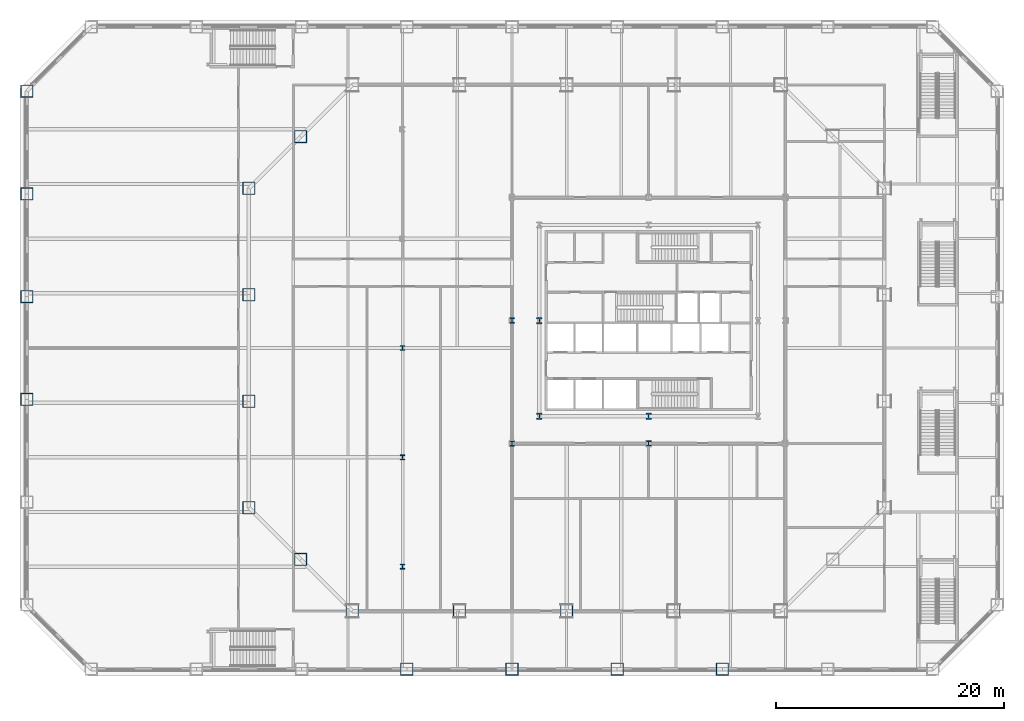
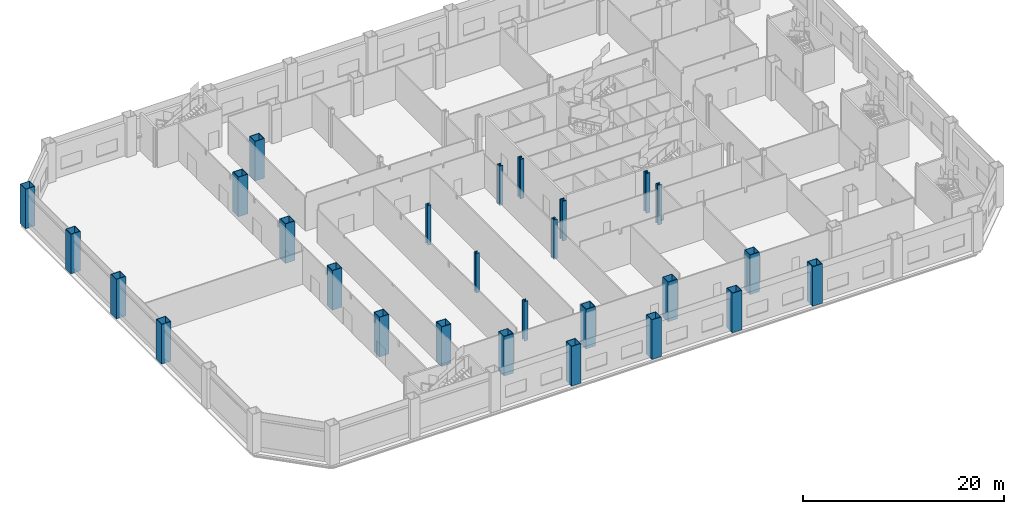
# One storey, part 2 of 26: 27 columns.
"""IFC4 building model written with IfcOpenShell, lengths in metres."""

import ifcopenshell
import ifcopenshell.guid

model = None  # the IFC model being written
_history = None  # IfcOwnerHistory: only IFC2X3 demands one
_inside = {}  # id of a spatial element -> (the spatial element, [elements in it])
_under = {}  # id of a project, library or spatial element -> (it, [spatial elements below it])
_declared = {}  # id of a project -> (the project, [libraries it declares])
_typed = {}  # id of a type object -> (the type object, [elements of that type])
_made_of = {}  # id of a material, layer set ... -> (it, [elements and type objects made of it])


def new_model(schema):
    """Start an empty IFC model of exactly this schema.

    Asked for "IFC4X3", IfcOpenShell would pick the latest addendum, in which some entities
    have other attributes; the version numbers below select the first issue.
    IFC2X3 requires an IfcOwnerHistory on every rooted entity: one is made here for all.
    """
    global model, _history
    if schema == "IFC4X3":
        model = ifcopenshell.file(schema_version=(4, 3, 0, 0))
    else:
        model = ifcopenshell.file(schema=schema)
    _inside.clear()
    _under.clear()
    _declared.clear()
    _typed.clear()
    _made_of.clear()
    _history = None
    if model.schema == "IFC2X3":
        org = make("IfcOrganization", Name="unknown")
        user = make(
            "IfcPersonAndOrganization",
            ThePerson=make("IfcPerson", FamilyName="unknown"),
            TheOrganization=org,
        )
        app = make(
            "IfcApplication",
            ApplicationDeveloper=org,
            Version="unknown",
            ApplicationFullName="unknown",
            ApplicationIdentifier="unknown",
        )
        _history = make(
            "IfcOwnerHistory",
            OwningUser=user,
            OwningApplication=app,
            ChangeAction="ADDED",
            CreationDate=0,
        )
    return model


def make(cls, **values):
    """One entity of the class cls with the attributes given. An attribute that is None is left unset."""
    return model.create_entity(
        cls, **{name: value for name, value in values.items() if value is not None}
    )


def rooted(cls, **values):
    """An entity with a GlobalId (a new one), such as an element, a storey or a relation."""
    return make(cls, GlobalId=ifcopenshell.guid.new(), OwnerHistory=_history, **values)


def si_unit(unit_type, name, prefix=None):
    """IfcSIUnit, for example si_unit("LENGTHUNIT", "METRE", prefix="MILLI")."""
    return make("IfcSIUnit", UnitType=unit_type, Prefix=prefix, Name=name)


def assignment(units):
    """IfcUnitAssignment: the units of a project."""
    return None if units is None else make("IfcUnitAssignment", Units=units)


def point(xyz):
    """IfcCartesianPoint."""
    return None if xyz is None else make("IfcCartesianPoint", Coordinates=xyz)


def direction(xyz):
    """IfcDirection."""
    return None if xyz is None else make("IfcDirection", DirectionRatios=xyz)


def frame(location, z_axis=None, x_axis=None):
    """IfcAxis2Placement3D, a coordinate frame: its origin and axes. An axis left out is left unset."""
    return make(
        "IfcAxis2Placement3D",
        Location=point(location),
        Axis=direction(z_axis),
        RefDirection=direction(x_axis),
    )


def frame_2d(location, x_axis=None):
    """IfcAxis2Placement2D, a coordinate frame in the plane: its origin and x axis."""
    return make(
        "IfcAxis2Placement2D", Location=point(location), RefDirection=direction(x_axis)
    )


def origin():
    """The frame at (0, 0, 0) with its axes left unset."""
    return frame((0.0, 0.0, 0.0))


def origin_2d():
    """The frame at (0, 0) in the plane with its x axis left unset."""
    return frame_2d((0.0, 0.0))


def place(relative_to, where):
    """IfcLocalPlacement: puts the frame where relative to a parent placement (None: the world)."""
    return make(
        "IfcLocalPlacement", PlacementRelTo=relative_to, RelativePlacement=where
    )


def context(
    kind, dimensions, precision=None, world=None, true_north=None, identifier=None
):
    """IfcGeometricRepresentationContext, for example the 3D "Model" context."""
    return make(
        "IfcGeometricRepresentationContext",
        ContextIdentifier=identifier,
        ContextType=kind,
        CoordinateSpaceDimension=dimensions,
        Precision=precision,
        WorldCoordinateSystem=world,
        TrueNorth=true_north,
    )


def subcontext(parent, identifier, kind, view, scale=None):
    """IfcGeometricRepresentationSubContext, for example "Body" below "Model"."""
    return make(
        "IfcGeometricRepresentationSubContext",
        ContextIdentifier=identifier,
        ContextType=kind,
        ParentContext=parent,
        TargetScale=scale,
        TargetView=view,
    )


def project(units=None, contexts=None):
    """IfcProject with its units and contexts."""
    return rooted(
        "IfcProject",
        Name="project",
        RepresentationContexts=contexts,
        UnitsInContext=assignment(units),
    )


def spatial(cls, under=None, at=None, **own):
    """A site, building, storey or space (cls), placed at a placement, below another one or the project."""
    s = rooted(cls, ObjectPlacement=at, **own)
    if under is not None:
        _under.setdefault(under.id(), (under, []))[1].append(s)
    return s


def profile(cls, at=None, kind="AREA", **sizes):
    """A parametric profile (cls). Its sizes go by their IFC names, for example OverallWidth=200.0."""
    return make(cls, ProfileType=kind, Position=at, **sizes)


def hollow_rectangle(**sizes):
    """IfcRectangleHollowProfileDef."""
    return profile("IfcRectangleHollowProfileDef", **sizes)


def i_section(**sizes):
    """IfcIShapeProfileDef."""
    return profile("IfcIShapeProfileDef", **sizes)


def extrude(swept, where, along, depth):
    """IfcExtrudedAreaSolid: the profile swept, set in the frame where, extruded along a direction by depth."""
    return make(
        "IfcExtrudedAreaSolid",
        SweptArea=swept,
        Position=where,
        ExtrudedDirection=direction(along),
        Depth=depth,
    )


def shape(context_of_items, identifier, shape_type, items):
    """IfcShapeRepresentation: the items that make up one representation, for example the "Body"."""
    return make(
        "IfcShapeRepresentation",
        ContextOfItems=context_of_items,
        RepresentationIdentifier=identifier,
        RepresentationType=shape_type,
        Items=items,
    )


def material(Name=None, Category=None):
    """IfcMaterial."""
    return make("IfcMaterial", Name=Name, Category=Category)


def material_profile(
    of_material, cross_section, Name=None, Category=None, Priority=None
):
    """IfcMaterialProfile: a cross section and its material."""
    return make(
        "IfcMaterialProfile",
        Name=Name,
        Material=of_material,
        Profile=cross_section,
        Priority=Priority,
        Category=Category,
    )


def profile_set(profiles, Name=None, composite=None):
    """IfcMaterialProfileSet."""
    return make(
        "IfcMaterialProfileSet",
        Name=Name,
        MaterialProfiles=profiles,
        CompositeProfile=composite,
    )


def made_of(thing, what):
    """Note that an element or type object is made of a material, layer set ...; save() writes the relation."""
    if what is not None:
        _made_of.setdefault(what.id(), (what, []))[1].append(thing)
    return thing


def type_object(cls, material=None, **own):
    """A type object (cls), such as IfcWallType, which elements share."""
    return made_of(rooted(cls, **own), material)


def element(
    cls,
    number,
    at=None,
    inside=None,
    cuts=None,
    type_object=None,
    material=None,
    context=None,
    identifier="Body",
    shape_type=None,
    held_by="IfcProductDefinitionShape",
    body=None,
    shapes=None,
    **own,
):
    """One element of the class cls, such as IfcWall. Its Tag is "e" and its number.

    at: its placement. inside: the storey or other place that contains it. cuts: it is an
    opening in that element (IfcRelVoidsElement). A single representation is given by context,
    identifier, shape_type and body (its items); several are given by shapes. held_by: the class
    of the entity that holds the representations. save() writes the other relations.
    """
    e = rooted(cls, Tag="e%d" % number, ObjectPlacement=at, **own)
    if body is not None:
        shapes = [shape(context, identifier, shape_type, body)]
    if shapes is not None:
        e.Representation = make(held_by, Representations=shapes)
    if inside is not None:
        _inside.setdefault(inside.id(), (inside, []))[1].append(e)
    if cuts is not None:
        rooted(
            "IfcRelVoidsElement", RelatingBuildingElement=cuts, RelatedOpeningElement=e
        )
    if type_object is not None:
        _typed.setdefault(type_object.id(), (type_object, []))[1].append(e)
    return made_of(e, material)


def aggregate(whole, parts):
    """IfcRelAggregates: a whole, such as a stair, and the parts it consists of."""
    return rooted("IfcRelAggregates", RelatingObject=whole, RelatedObjects=parts)


def save(model, path):
    """Write the relations noted so far, then the file.

    IfcRelAggregates (storeys below a building ...), IfcRelContainedInSpatialStructure (elements
    in a storey), IfcRelDefinesByType, IfcRelAssociatesMaterial and IfcRelDeclares: one each for
    every whole, place, type object, material and project.
    """
    for whole, parts in _under.values():
        aggregate(whole, parts)
    for where, things in _inside.values():
        rooted(
            "IfcRelContainedInSpatialStructure",
            RelatedElements=things,
            RelatingStructure=where,
        )
    for kind, things in _typed.values():
        rooted("IfcRelDefinesByType", RelatedObjects=things, RelatingType=kind)
    for what, things in _made_of.values():
        rooted("IfcRelAssociatesMaterial", RelatedObjects=things, RelatingMaterial=what)
    for by, libraries in _declared.values():
        rooted("IfcRelDeclares", RelatingContext=by, RelatedDefinitions=libraries)
    model.write(path)


model = new_model("IFC4")

# Units and contexts
model_context = context("Model", 3, precision=1e-05, world=origin(), true_north=direction((0.0, 1.0)))
body_context = subcontext(model_context, "Body", "Model", "MODEL_VIEW")
ifc_project = project(units=[si_unit("LENGTHUNIT", "METRE"), si_unit("AREAUNIT", "SQUARE_METRE"), si_unit("VOLUMEUNIT", "CUBIC_METRE"), si_unit("PLANEANGLEUNIT", "RADIAN"), si_unit("MASSUNIT", "GRAM", prefix="KILO")], contexts=[model_context])

# Site, building, storey
site_placement = place(None, origin())
site = spatial("IfcSite", under=ifc_project, at=site_placement, CompositionType="ELEMENT")
building_placement = place(site_placement, origin())
building = spatial("IfcBuilding", under=site, at=building_placement, Name="Cairn Pilgrim Tower", CompositionType="ELEMENT")
storey_placement = place(building_placement, frame((0.0, 0.0, 25.800048828125)))
storey = spatial("IfcBuildingStorey", under=building, at=storey_placement, Name="L04", CompositionType="ELEMENT", Elevation=25.800048828125)

# Columns
ifc_material = material(Name="Structural steel S460M", Category="steel")
ifc_material_profile_1 = material_profile(ifc_material, hollow_rectangle(XDim=1.10009765625, YDim=1.10009765625, WallThickness=0.06005859375, at=origin_2d()), Name="BOX 1100x1100x60")
ifc_profile_set_1 = profile_set([ifc_material_profile_1], Name="Structural steel S460M")
column_type_1 = type_object("IfcColumnType", Name="BOX 1100x1100x60", PredefinedType="COLUMN", material=ifc_profile_set_1)
for number, where, z_axis, x_axis, name in (
    (1, (-18.8271484375, -23.10009765625, -0.199951171875), (0.0, 0.0, 1.0), (1.0, 0.0, 0.0), "PC1-S1"),
    (2, (-9.41357421875, -23.10009765625, -0.199951171875), (0.0, 0.0, 1.0), (1.0, 0.0, 0.0), "PC1-S2"),
    (3, (0.0, -23.10009765625, -0.199951171875), (0.0, 0.0, 1.0), (1.0, 0.0, 0.0), "PC1-S3"),
    (4, (9.41357421875, -23.10009765625, -0.199951171875), (0.0, 0.0, 1.0), (1.0, 0.0, 0.0), "PC1-S4"),
    (5, (-23.363525390625, 18.563720703125, -0.199951171875), (0.0, 0.0, 1.0), (1.0, 0.0, 0.0), "PC1-NW2"),
    (6, (-27.89990234375, 14.027099609375, -0.199951171875), (0.0, 0.0, 1.0), (1.0, 0.0, 0.0), "PC1-W1"),
    (7, (-27.89990234375, 4.67578125, -0.199951171875), (0.0, 0.0, 1.0), (1.0, 0.0, 0.0), "PC1-W2"),
    (8, (-27.89990234375, -4.67578125, -0.199951171875), (0.0, 0.0, 1.0), (1.0, 0.0, 0.0), "PC1-W3"),
    (9, (-27.89990234375, -14.027099609375, -0.199951171875), (0.0, 0.0, 1.0), (1.0, 0.0, 0.0), "PC1-SW1"),
    (10, (-23.363525390625, -18.563720703125, -0.199951171875), (0.0, 0.0, 1.0), (1.0, 0.0, 0.0), "PC1-SW2"),
):
    element("IfcColumn", number, at=place(storey_placement, frame(where, z_axis=z_axis, x_axis=x_axis)), inside=storey, type_object=column_type_1, Name=name, PredefinedType="COLUMN", context=body_context, shape_type="SweptSolid", body=[
        extrude(hollow_rectangle(XDim=1.10009765625, YDim=1.10009765625, WallThickness=0.06005859375, at=origin_2d()), origin(), (0.0, 0.0, 1.0), 4.7998046875),
    ])
ifc_material_profile_2 = material_profile(ifc_material, i_section(OverallWidth=0.4541015625, OverallDepth=0.569091796875, WebThickness=0.077880859375, FlangeThickness=0.125, FilletRadius=0.014892578125, at=origin_2d()), Name="HD 400x1086")
ifc_profile_set_2 = profile_set([ifc_material_profile_2], Name="Structural steel S460M")
column_type_2 = type_object("IfcColumnType", Name="HD 400x1086", PredefinedType="COLUMN", material=ifc_profile_set_2)
for number, where, z_axis, x_axis, name in (
    (11, (-2.39990234375, -6.0, -0.199951171875), (0.0, 0.0, 1.0), (1.0, 0.0, 0.0), "KC-1"),
    (12, (7.199951171875, -6.0, -0.199951171875), (0.0, 0.0, 1.0), (1.0, 0.0, 0.0), "KC-2"),
    (13, (-2.39990234375, 2.39990234375, -0.199951171875), (0.0, 0.0, 1.0), (1.0, 0.0, 0.0), "KC-4"),
):
    element("IfcColumn", number, at=place(storey_placement, frame(where, z_axis=z_axis, x_axis=x_axis)), inside=storey, type_object=column_type_2, Name=name, PredefinedType="COLUMN", context=body_context, shape_type="SweptSolid", body=[
        extrude(i_section(OverallWidth=0.4541015625, OverallDepth=0.569091796875, WebThickness=0.077880859375, FlangeThickness=0.125, FilletRadius=0.014892578125, at=origin_2d()), origin(), (0.0, 0.0, 1.0), 4.7998046875),
    ])
ifc_material_profile_3 = material_profile(ifc_material, i_section(OverallWidth=0.408935546875, OverallDepth=0.425048828125, WebThickness=0.03271484375, FlangeThickness=0.052490234375, FilletRadius=0.014892578125, at=origin_2d()), Name="HD 400x421")
ifc_profile_set_3 = profile_set([ifc_material_profile_3], Name="Structural steel S460M")
column_type_3 = type_object("IfcColumnType", Name="HD 400x421", PredefinedType="COLUMN", material=ifc_profile_set_3)
for number, where, z_axis, x_axis, name in (
    (14, (-14.39990234375, -19.199951171875, -0.199951171875), (0.0, 0.0, 1.0), (1.0, 0.0, 0.0), "WC-WW-4"),
    (15, (-14.39990234375, -9.60009765625, -0.199951171875), (0.0, 0.0, 1.0), (1.0, 0.0, 0.0), "WC-WW-2"),
    (16, (-14.39990234375, 0.0, -0.199951171875), (0.0, 0.0, 1.0), (1.0, 0.0, 0.0), "WC-WW+0"),
):
    element("IfcColumn", number, at=place(storey_placement, frame(where, z_axis=z_axis, x_axis=x_axis)), inside=storey, type_object=column_type_3, Name=name, PredefinedType="COLUMN", context=body_context, shape_type="SweptSolid", body=[
        extrude(i_section(OverallWidth=0.408935546875, OverallDepth=0.425048828125, WebThickness=0.03271484375, FlangeThickness=0.052490234375, FilletRadius=0.014892578125, at=origin_2d()), origin(), (0.0, 0.0, 1.0), 4.7998046875),
    ])
ifc_material_profile_4 = material_profile(ifc_material, i_section(OverallWidth=0.424072265625, OverallDepth=0.47412109375, WebThickness=0.047607421875, FlangeThickness=0.0771484375, FilletRadius=0.014892578125, at=origin_2d()), Name="HD 400x634")
ifc_profile_set_4 = profile_set([ifc_material_profile_4], Name="Structural steel S460M")
column_type_4 = type_object("IfcColumnType", Name="HD 400x634", PredefinedType="COLUMN", material=ifc_profile_set_4)
for number, where, z_axis, x_axis, name in (
    (17, (-4.800048828125, -8.39990234375, -0.199951171875), (0.0, 0.0, 1.0), (1.0, 0.0, 0.0), "IC-1"),
    (18, (7.199951171875, -8.39990234375, -0.199951171875), (0.0, 0.0, 1.0), (1.0, 0.0, 0.0), "IC-2"),
    (19, (-4.800048828125, 2.39990234375, -0.199951171875), (0.0, 0.0, 1.0), (1.0, 0.0, 0.0), "IC-4"),
):
    element("IfcColumn", number, at=place(storey_placement, frame(where, z_axis=z_axis, x_axis=x_axis)), inside=storey, type_object=column_type_4, Name=name, PredefinedType="COLUMN", context=body_context, shape_type="SweptSolid", body=[
        extrude(i_section(OverallWidth=0.424072265625, OverallDepth=0.47412109375, WebThickness=0.047607421875, FlangeThickness=0.0771484375, FilletRadius=0.014892578125, at=origin_2d()), origin(), (0.0, 0.0, 1.0), 4.7998046875),
    ])
ifc_material_profile_5 = material_profile(ifc_material, hollow_rectangle(XDim=1.10009765625, YDim=1.10009765625, WallThickness=0.06005859375, at=origin_2d()), Name="BOX 1100x1100x60")
ifc_profile_set_5 = profile_set([ifc_material_profile_5], Name="Structural steel S460M")
column_type_5 = type_object("IfcColumnType", Name="PILOTIS CFT 1100", PredefinedType="COLUMN", material=ifc_profile_set_5)
for number, where, z_axis, x_axis, name in (
    (20, (-14.037841796875, -28.199951171875, 0.0), (0.0, 0.0, 1.0), (1.0, 0.0, 0.0), "PILOTIS PL-S4"),
    (21, (-4.800048828125, -28.199951171875, 0.0), (0.0, 0.0, 1.0), (1.0, 0.0, 0.0), "PILOTIS PL-S5"),
    (22, (4.43798828125, -28.199951171875, 0.0), (0.0, 0.0, 1.0), (1.0, 0.0, 0.0), "PILOTIS PL-S6"),
    (23, (13.67578125, -28.199951171875, 0.0), (0.0, 0.0, 1.0), (1.0, 0.0, 0.0), "PILOTIS PL-S7"),
    (24, (-47.39990234375, 22.551513671875, 0.0), (0.0, 0.0, 1.0), (1.0, 0.0, 0.0), "PILOTIS PL-W1"),
    (25, (-47.39990234375, 13.531005859375, 0.0), (0.0, 0.0, 1.0), (1.0, 0.0, 0.0), "PILOTIS PL-W2"),
    (26, (-47.39990234375, 4.51025390625, 0.0), (0.0, 0.0, 1.0), (1.0, 0.0, 0.0), "PILOTIS PL-W3"),
    (27, (-47.39990234375, -4.51025390625, 0.0), (0.0, 0.0, 1.0), (1.0, 0.0, 0.0), "PILOTIS PL-W4"),
):
    element("IfcColumn", number, at=place(storey_placement, frame(where, z_axis=z_axis, x_axis=x_axis)), inside=storey, type_object=column_type_5, Name=name, PredefinedType="COLUMN", context=body_context, shape_type="SweptSolid", body=[
        extrude(hollow_rectangle(XDim=1.10009765625, YDim=1.10009765625, WallThickness=0.06005859375, at=origin_2d()), origin(), (0.0, 0.0, 1.0), 4.800048828125),
    ])

save(model, "model.ifc")
